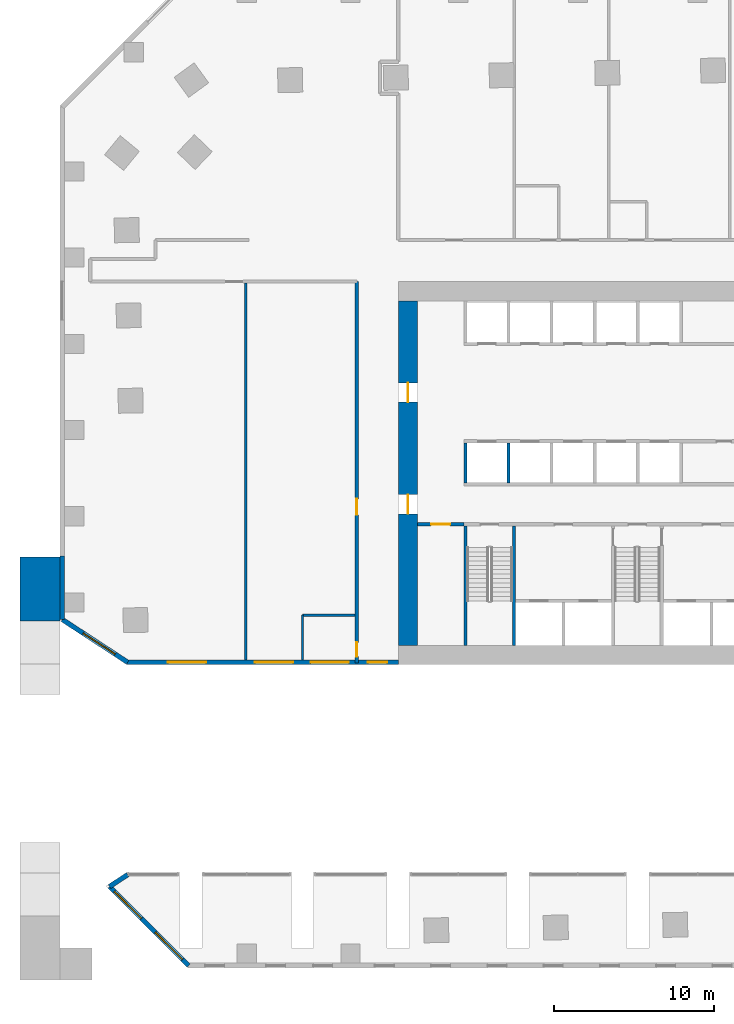
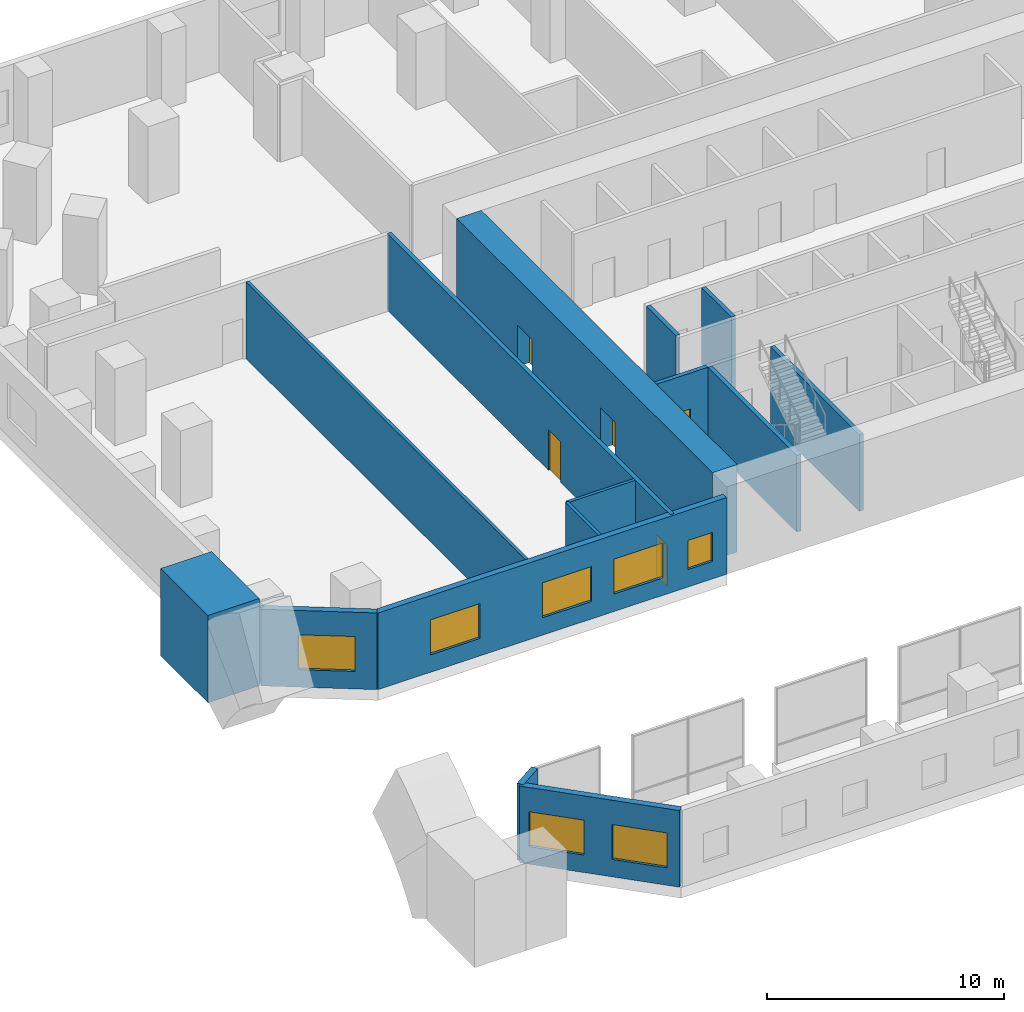
# One storey, part 5 of 12: 16 walls, 7 windows, 5 doors, 12 openings.
"""IFC4 building model written with IfcOpenShell, lengths in metres."""

from ifc_helpers import new_model, si_unit, direction, frame, frame_2d, origin, place, context, subcontext, project, spatial, rectangle, extrude, material, layer, layer_set, type_object, element, fill, save


model = new_model("IFC4")

# Units and contexts
model_context = context("Model", 3, precision=1e-05, world=origin(), true_north=direction((0.0, 1.0)))
body_context = subcontext(model_context, "Body", "Model", "MODEL_VIEW")
ifc_project = project(units=[si_unit("LENGTHUNIT", "METRE"), si_unit("AREAUNIT", "SQUARE_METRE"), si_unit("VOLUMEUNIT", "CUBIC_METRE"), si_unit("PLANEANGLEUNIT", "RADIAN"), si_unit("MASSUNIT", "GRAM", prefix="KILO")], contexts=[model_context])

# Site, building, storey
site_placement = place(None, origin())
site = spatial("IfcSite", under=ifc_project, at=site_placement, CompositionType="ELEMENT")
building_placement = place(site_placement, origin())
building = spatial("IfcBuilding", under=site, at=building_placement, Name="Mangrove Gate Tower", CompositionType="ELEMENT")
storey_placement = place(building_placement, frame((0.0, 0.0, 16.0)))
storey = spatial("IfcBuildingStorey", under=building, at=storey_placement, Name="L03", CompositionType="ELEMENT", Elevation=16.0)

# Wall, opening, door
ifc_material_1 = material(Name="Concrete C32/40", Category="concrete")
ifc_layer_1 = layer(ifc_material_1, 0.199951171875)
ifc_layer_set_1 = layer_set([ifc_layer_1], Name="Core lobby wall 200 C32/40")
wall_type_1 = type_object("IfcWallType", Name="Core lobby wall 200 C32/40", PredefinedType="STANDARD", material=ifc_layer_set_1)
wall_1_placement = place(storey_placement, frame((-13.800048828125, -3.199951171875, 0.0), z_axis=(0.0, 0.0, 1.0), x_axis=(1.0, 0.0, 0.0)))
wall_1 = element("IfcWall", 1, at=wall_1_placement, inside=storey, type_object=wall_type_1, Name="WALL-L03-CORE-34", PredefinedType="STANDARD", context=body_context, shape_type="SweptSolid", body=[
    extrude(rectangle(XDim=2.900146484375, YDim=0.199951171875, at=frame_2d((1.4501953125, 0.0))), origin(), (0.0, 0.0, 1.0), 3.949951171875),
])
opening_1_placement = place(wall_1_placement, frame((0.85009765625, 0.0, 0.0)))
opening_1 = element("IfcOpeningElement", 2, at=opening_1_placement, cuts=wall_1, Name="Opening FL12", PredefinedType="OPENING", context=body_context, shape_type="SweptSolid", body=[
    extrude(rectangle(XDim=1.199951171875, YDim=2.10009765625, at=frame_2d((0.60009765625, 1.050048828125))), frame((0.0, 0.10986328125, 0.0), z_axis=(0.0, -1.0, 0.0), x_axis=(1.0, 0.0, 0.0)), (0.0, 0.0, 1.0), 0.219970703125),
])
ifc_material_2 = material(Name="Fire-rated steel door set", Category="steel")
door_type_1 = type_object("IfcDoorType", Name="Lobby door FD60 1200x2100", OperationType="SINGLE_SWING_LEFT", PredefinedType="DOOR", material=ifc_material_2)
door_1_placement = place(opening_1_placement, origin())
door_1 = element("IfcDoor", 3, at=door_1_placement, inside=storey, type_object=door_type_1, Name="Lobby door core corridor W partition", OperationType="SINGLE_SWING_LEFT", OverallHeight=2.10009765625, OverallWidth=1.199951171875, PredefinedType="DOOR", context=body_context, shape_type="SweptSolid", body=[
    extrude(rectangle(XDim=1.199951171875, YDim=2.10009765625, at=frame_2d((0.60009765625, 1.050048828125))), frame((0.0, 0.02490234375, 0.0), z_axis=(0.0, -1.0, 0.0), x_axis=(1.0, 0.0, 0.0)), (0.0, 0.0, 1.0), 0.050048828125),
])
fill(opening_1, door_1)

# Walls
ifc_material_3 = material(Name="Concrete C70/85", Category="concrete")
ifc_layer_2 = layer(ifc_material_3, 0.199951171875)
ifc_layer_set_2 = layer_set([ifc_layer_2], Name="Core shaft wall 200 C70/85")
wall_type_2 = type_object("IfcWallType", Name="Core shaft wall 200 C70/85", PredefinedType="SHEAR", material=ifc_layer_set_2)
for number, where, z_axis, x_axis, name in (
    (4, (-10.800048828125, -0.60009765625, 0.0), (0.0, 0.0, 1.0), (0.0, 1.0, 0.0), "WALL-L03-CORE-19"),
    (5, (-8.10009765625, -0.60009765625, 0.0), (0.0, 0.0, 1.0), (0.0, 1.0, 0.0), "WALL-L03-CORE-20"),
):
    element("IfcWall", number, at=place(storey_placement, frame(where, z_axis=z_axis, x_axis=x_axis)), inside=storey, type_object=wall_type_2, Name=name, PredefinedType="SHEAR", context=body_context, shape_type="SweptSolid", body=[
        extrude(rectangle(XDim=2.5, YDim=0.199951171875, at=frame_2d((1.25, 0.0))), origin(), (0.0, 0.0, 1.0), 3.949951171875),
    ])
ifc_material_4 = material(Name="Concrete C70/85", Category="concrete")
ifc_layer_3 = layer(ifc_material_4, 0.199951171875)
ifc_layer_set_3 = layer_set([ifc_layer_3], Name="Core stair wall 200 C70/85")
wall_type_3 = type_object("IfcWallType", Name="Core stair wall 200 C70/85", PredefinedType="SHEAR", material=ifc_layer_set_3)
for number, where, z_axis, x_axis, name in (
    (6, (-10.800048828125, -10.800048828125, 0.0), (0.0, 0.0, 1.0), (0.0, 1.0, 0.0), "WALL-L03-CORE-9"),
    (7, (-7.75, -10.800048828125, 0.0), (0.0, 0.0, 1.0), (0.0, 1.0, 0.0), "WALL-L03-CORE-10"),
):
    element("IfcWall", number, at=place(storey_placement, frame(where, z_axis=z_axis, x_axis=x_axis)), inside=storey, type_object=wall_type_3, Name=name, PredefinedType="SHEAR", context=body_context, shape_type="SweptSolid", body=[
        extrude(rectangle(XDim=7.5, YDim=0.199951171875, at=frame_2d((3.75, 0.0))), origin(), (0.0, 0.0, 1.0), 3.949951171875),
    ])

# Wall, openings, doors
ifc_material_5 = material(Name="Concrete C70/85", Category="concrete")
ifc_layer_4 = layer(ifc_material_5, 1.199951171875)
ifc_layer_set_4 = layer_set([ifc_layer_4], Name="Core wall 1200 C70/85")
wall_type_4 = type_object("IfcWallType", Name="Core wall 1200 C70/85", PredefinedType="SHEAR", material=ifc_layer_set_4)
wall_2_placement = place(storey_placement, frame((-14.39990234375, -10.800048828125, 0.0), z_axis=(0.0, 0.0, 1.0), x_axis=(0.0, 1.0, 0.0)))
wall_2 = element("IfcWall", 8, at=wall_2_placement, inside=storey, type_object=wall_type_4, Name="WALL-L03-CORE-3", PredefinedType="SHEAR", context=body_context, shape_type="SweptSolid", body=[
    extrude(rectangle(XDim=21.60009765625, YDim=1.199951171875, at=frame_2d((10.800048828125, 0.0))), origin(), (0.0, 0.0, 1.0), 4.5),
])
opening_2_placement = place(wall_2_placement, frame((8.25, 0.0, 0.0)))
opening_2 = element("IfcOpeningElement", 9, at=opening_2_placement, cuts=wall_2, Name="Opening CD", PredefinedType="OPENING", context=body_context, shape_type="SweptSolid", body=[
    extrude(rectangle(XDim=1.199951171875, YDim=2.10009765625, at=frame_2d((0.60009765625, 1.050048828125))), frame((0.0, 0.60986328125, 0.0), z_axis=(0.0, -1.0, 0.0), x_axis=(1.0, 0.0, 0.0)), (0.0, 0.0, 1.0), 1.219970703125),
])
opening_3_placement = place(wall_2_placement, frame((15.25, 0.0, 0.0)))
opening_3 = element("IfcOpeningElement", 10, at=opening_3_placement, cuts=wall_2, Name="Opening CD", PredefinedType="OPENING", context=body_context, shape_type="SweptSolid", body=[
    extrude(rectangle(XDim=1.199951171875, YDim=2.10009765625, at=frame_2d((0.60009765625, 1.050048828125))), frame((0.0, 0.60986328125, 0.0), z_axis=(0.0, -1.0, 0.0), x_axis=(1.0, 0.0, 0.0)), (0.0, 0.0, 1.0), 1.219970703125),
])
ifc_material_6 = material(Name="Fire-rated steel door set", Category="steel")
door_type_2 = type_object("IfcDoorType", Name="Core ring door FD60 1200x2100", OperationType="DOUBLE_DOOR_SINGLE_SWING", PredefinedType="DOOR", material=ifc_material_6)
door_2_placement = place(opening_2_placement, origin())
door_2 = element("IfcDoor", 11, at=door_2_placement, inside=storey, type_object=door_type_2, Name="Core ring door W1", OperationType="DOUBLE_DOOR_SINGLE_SWING", OverallHeight=2.10009765625, OverallWidth=1.199951171875, PredefinedType="DOOR", context=body_context, shape_type="SweptSolid", body=[
    extrude(rectangle(XDim=1.199951171875, YDim=2.10009765625, at=frame_2d((0.60009765625, 1.050048828125))), frame((0.0, 0.02490234375, 0.0), z_axis=(0.0, -1.0, 0.0), x_axis=(1.0, 0.0, 0.0)), (0.0, 0.0, 1.0), 0.050048828125),
])
fill(opening_2, door_2)
door_3_placement = place(opening_3_placement, origin())
door_3 = element("IfcDoor", 12, at=door_3_placement, inside=storey, type_object=door_type_2, Name="Core ring door W2", OperationType="DOUBLE_DOOR_SINGLE_SWING", OverallHeight=2.10009765625, OverallWidth=1.199951171875, PredefinedType="DOOR", context=body_context, shape_type="SweptSolid", body=[
    extrude(rectangle(XDim=1.199951171875, YDim=2.10009765625, at=frame_2d((0.60009765625, 1.050048828125))), frame((0.0, 0.02490234375, 0.0), z_axis=(0.0, -1.0, 0.0), x_axis=(1.0, 0.0, 0.0)), (0.0, 0.0, 1.0), 0.050048828125),
])
fill(opening_3, door_3)

ifc_material_7 = material(Name="Gypsum board on steel stud, EI 60", Category="steel")
ifc_layer_5 = layer(ifc_material_7, 0.199951171875)
ifc_layer_set_5 = layer_set([ifc_layer_5], Name="Corridor wall EI 60")
wall_type_5 = type_object("IfcWallType", Name="Corridor wall EI 60", PredefinedType="PARTITIONING", material=ifc_layer_set_5)
wall_3_placement = place(storey_placement, frame((-17.60009765625, -11.89990234375, 0.0), z_axis=(0.0, 0.0, 1.0), x_axis=(0.0, 1.0, 0.0)))
wall_3 = element("IfcWall", 13, at=wall_3_placement, inside=storey, type_object=wall_type_5, Name="WALL-L03-003", PredefinedType="PARTITIONING", context=body_context, shape_type="SweptSolid", body=[
    extrude(rectangle(XDim=23.89990234375, YDim=0.199951171875, at=frame_2d((11.949951171875, 0.0))), origin(), (0.0, 0.0, 1.0), 3.949951171875),
])
opening_4_placement = place(wall_3_placement, frame((9.281982421875, 0.0, 0.0)))
opening_4 = element("IfcOpeningElement", 14, at=opening_4_placement, cuts=wall_3, Name="Opening AD", PredefinedType="OPENING", context=body_context, shape_type="SweptSolid", body=[
    extrude(rectangle(XDim=1.0, YDim=2.10009765625, at=frame_2d((0.5, 1.050048828125))), frame((0.0, 0.10986328125, 0.0), z_axis=(0.0, -1.0, 0.0), x_axis=(1.0, 0.0, 0.0)), (0.0, 0.0, 1.0), 0.219970703125),
])
opening_5_placement = place(wall_3_placement, frame((0.39990234375, 0.0, 0.0)))
opening_5 = element("IfcOpeningElement", 15, at=opening_5_placement, cuts=wall_3, Name="Opening SD", PredefinedType="OPENING", context=body_context, shape_type="SweptSolid", body=[
    extrude(rectangle(XDim=0.89990234375, YDim=2.10009765625, at=frame_2d((0.449951171875, 1.050048828125))), frame((0.0, 0.10986328125, 0.0), z_axis=(0.0, -1.0, 0.0), x_axis=(1.0, 0.0, 0.0)), (0.0, 0.0, 1.0), 0.219970703125),
])
ifc_material_8 = material(Name="Timber door leaf", Category="wood")
door_type_3 = type_object("IfcDoorType", Name="Amenity door 1000", OperationType="SINGLE_SWING_LEFT", PredefinedType="DOOR", material=ifc_material_8)
door_4_placement = place(opening_4_placement, origin())
door_4 = element("IfcDoor", 16, at=door_4_placement, inside=storey, type_object=door_type_3, Name="DOOR-L03-POD-01", OperationType="SINGLE_SWING_LEFT", OverallHeight=2.10009765625, OverallWidth=1.0, PredefinedType="DOOR", context=body_context, shape_type="SweptSolid", body=[
    extrude(rectangle(XDim=1.0, YDim=2.10009765625, at=frame_2d((0.5, 1.050048828125))), frame((0.0, 0.02490234375, 0.0), z_axis=(0.0, -1.0, 0.0), x_axis=(1.0, 0.0, 0.0)), (0.0, 0.0, 1.0), 0.050048828125),
])
fill(opening_4, door_4)
ifc_material_9 = material(Name="Timber door leaf", Category="wood")
door_type_4 = type_object("IfcDoorType", Name="Service room door 900", OperationType="SINGLE_SWING_LEFT", PredefinedType="DOOR", material=ifc_material_9)
door_5_placement = place(opening_5_placement, origin())
door_5 = element("IfcDoor", 17, at=door_5_placement, inside=storey, type_object=door_type_4, Name="DOOR-L03-PSV-01", OperationType="SINGLE_SWING_LEFT", OverallHeight=2.10009765625, OverallWidth=0.89990234375, PredefinedType="DOOR", context=body_context, shape_type="SweptSolid", body=[
    extrude(rectangle(XDim=0.89990234375, YDim=2.10009765625, at=frame_2d((0.449951171875, 1.050048828125))), frame((0.0, 0.02490234375, 0.0), z_axis=(0.0, -1.0, 0.0), x_axis=(1.0, 0.0, 0.0)), (0.0, 0.0, 1.0), 0.050048828125),
])
fill(opening_5, door_5)

# Wall
ifc_material_10 = material(Name="Limestone", Category="masonry")
ifc_layer_6 = layer(ifc_material_10, 0.0400390625, Name="Limestone cladding")
ifc_material_11 = material(Name="Ventilated air gap")
ifc_layer_7 = layer(ifc_material_11, 0.0400390625, Name="Ventilated cavity")
ifc_material_12 = material(Name="Mineral wool insulation")
ifc_layer_8 = layer(ifc_material_12, 0.06005859375, Name="Insulation")
ifc_material_13 = material(Name="Breather membrane")
ifc_layer_9 = layer(ifc_material_13, 0.001953125, Name="Breather membrane")
ifc_material_14 = material(Name="Concrete C20/25 blockwork", Category="masonry")
ifc_layer_10 = layer(ifc_material_14, 0.14990234375, Name="Blockwork backing wall")
ifc_material_15 = material(Name="Gypsum plaster")
ifc_layer_11 = layer(ifc_material_15, 0.008056640625, Name="Internal plaster")
ifc_layer_set_6 = layer_set([ifc_layer_6, ifc_layer_7, ifc_layer_8, ifc_layer_9, ifc_layer_10, ifc_layer_11], Name="External wall 300 limestone cladding")
wall_type_6 = type_object("IfcWallType", Name="External wall 300 limestone cladding", PredefinedType="SOLIDWALL", material=ifc_layer_set_6)
wall_4_placement = place(storey_placement, frame((-31.955078125, -25.14990234375, 0.0), z_axis=(0.0, 0.0, 1.0), x_axis=(-0.83660579794, -0.547805384105, 0.0)))
element("IfcWall", 18, at=wall_4_placement, inside=storey, type_object=wall_type_6, Name="WALL-L03-N2", PredefinedType="SOLIDWALL", context=body_context, shape_type="SweptSolid", body=[
    extrude(rectangle(XDim=1.360107421875, YDim=0.300048828125, at=frame_2d((0.68017578125, 0.0))), origin(), (0.0, 0.0, 1.0), 3.949951171875),
])

# Wall, openings, windows
wall_5_placement = place(storey_placement, frame((-33.093017578125, -25.89501953125, 0.0), z_axis=(0.0, 0.0, 1.0), x_axis=(0.707106781187, -0.707106781187, 0.0)))
wall_5 = element("IfcWall", 19, at=wall_5_placement, inside=storey, type_object=wall_type_6, Name="WALL-L03-W3", PredefinedType="SOLIDWALL", context=body_context, shape_type="SweptSolid", body=[
    extrude(rectangle(XDim=7.007568359375, YDim=0.300048828125, at=frame_2d((3.50390625, 0.0))), origin(), (0.0, 0.0, 1.0), 3.949951171875),
])
opening_6_placement = place(wall_5_placement, frame((0.428955078125, 0.0, 0.89990234375)))
opening_6 = element("IfcOpeningElement", 20, at=opening_6_placement, cuts=wall_5, Name="Opening W3", PredefinedType="OPENING", context=body_context, shape_type="SweptSolid", body=[
    extrude(rectangle(XDim=2.39990234375, YDim=1.800048828125, at=frame_2d((1.199951171875, 0.89990234375))), frame((0.0, 0.159912109375, 0.0), z_axis=(0.0, -1.0, 0.0), x_axis=(1.0, 0.0, 0.0)), (0.0, 0.0, 1.0), 0.320068359375),
])
opening_7_placement = place(wall_5_placement, frame((4.055908203125, 0.0, 0.89990234375)))
opening_7 = element("IfcOpeningElement", 21, at=opening_7_placement, cuts=wall_5, Name="Opening W3", PredefinedType="OPENING", context=body_context, shape_type="SweptSolid", body=[
    extrude(rectangle(XDim=2.39990234375, YDim=1.800048828125, at=frame_2d((1.199951171875, 0.89990234375))), frame((0.0, 0.159912109375, 0.0), z_axis=(0.0, -1.0, 0.0), x_axis=(1.0, 0.0, 0.0)), (0.0, 0.0, 1.0), 0.320068359375),
])
ifc_material_16 = material(Name="Aluminium frame with double-glazed low-e glass", Category="aluminium")
window_type_1 = type_object("IfcWindowType", Name="Podium window 2400x1800", PartitioningType="DOUBLE_PANEL_VERTICAL", PredefinedType="WINDOW", material=ifc_material_16)
window_1_placement = place(opening_6_placement, origin())
window_1 = element("IfcWindow", 22, at=window_1_placement, inside=storey, type_object=window_type_1, Name="WIN-L03-W3-1", OverallHeight=1.800048828125, OverallWidth=2.39990234375, PartitioningType="DOUBLE_PANEL_VERTICAL", PredefinedType="WINDOW", context=body_context, shape_type="SweptSolid", body=[
    extrude(rectangle(XDim=2.39990234375, YDim=1.800048828125, at=frame_2d((1.199951171875, 0.89990234375))), frame((0.0, 0.030029296875, 0.0), z_axis=(0.0, -1.0, 0.0), x_axis=(1.0, 0.0, 0.0)), (0.0, 0.0, 1.0), 0.06005859375),
])
fill(opening_6, window_1)
window_2_placement = place(opening_7_placement, origin())
window_2 = element("IfcWindow", 23, at=window_2_placement, inside=storey, type_object=window_type_1, Name="WIN-L03-W3-2", OverallHeight=1.800048828125, OverallWidth=2.39990234375, PartitioningType="DOUBLE_PANEL_VERTICAL", PredefinedType="WINDOW", context=body_context, shape_type="SweptSolid", body=[
    extrude(rectangle(XDim=2.39990234375, YDim=1.800048828125, at=frame_2d((1.199951171875, 0.89990234375))), frame((0.0, 0.030029296875, 0.0), z_axis=(0.0, -1.0, 0.0), x_axis=(1.0, 0.0, 0.0)), (0.0, 0.0, 1.0), 0.06005859375),
])
fill(opening_7, window_2)

# Wall, opening, window
wall_6_placement = place(storey_placement, frame((-36.050048828125, -9.1689453125, 0.0), z_axis=(0.0, 0.0, 1.0), x_axis=(0.836625876117, -0.54777471958, 0.0)))
wall_6 = element("IfcWall", 24, at=wall_6_placement, inside=storey, type_object=wall_type_6, Name="WALL-L03-S6", PredefinedType="SOLIDWALL", context=body_context, shape_type="SweptSolid", body=[
    extrude(rectangle(XDim=4.89453125, YDim=0.300048828125, at=frame_2d((2.447265625, 0.0))), origin(), (0.0, 0.0, 1.0), 3.949951171875),
])
opening_8_placement = place(wall_6_placement, frame((1.56103515625, 0.0, 0.89990234375)))
opening_8 = element("IfcOpeningElement", 25, at=opening_8_placement, cuts=wall_6, Name="Opening W3", PredefinedType="OPENING", context=body_context, shape_type="SweptSolid", body=[
    extrude(rectangle(XDim=2.39990234375, YDim=1.800048828125, at=frame_2d((1.199951171875, 0.89990234375))), frame((0.0, 0.159912109375, 0.0), z_axis=(0.0, -1.0, 0.0), x_axis=(1.0, 0.0, 0.0)), (0.0, 0.0, 1.0), 0.320068359375),
])
window_3_placement = place(opening_8_placement, origin())
window_3 = element("IfcWindow", 26, at=window_3_placement, inside=storey, type_object=window_type_1, Name="WIN-L03-S6-1", OverallHeight=1.800048828125, OverallWidth=2.39990234375, PartitioningType="DOUBLE_PANEL_VERTICAL", PredefinedType="WINDOW", context=body_context, shape_type="SweptSolid", body=[
    extrude(rectangle(XDim=2.39990234375, YDim=1.800048828125, at=frame_2d((1.199951171875, 0.89990234375))), frame((0.0, 0.030029296875, 0.0), z_axis=(0.0, -1.0, 0.0), x_axis=(1.0, 0.0, 0.0)), (0.0, 0.0, 1.0), 0.06005859375),
])
fill(opening_8, window_3)

# Wall, openings, windows
wall_7_placement = place(storey_placement, frame((-32.0, -11.85009765625, 0.0), z_axis=(0.0, 0.0, 1.0), x_axis=(1.0, 0.0, 0.0)))
wall_7 = element("IfcWall", 27, at=wall_7_placement, inside=storey, type_object=wall_type_6, Name="WALL-L03-S7", PredefinedType="SOLIDWALL", context=body_context, shape_type="SweptSolid", body=[
    extrude(rectangle(XDim=17.0, YDim=0.300048828125, at=frame_2d((8.5, 0.0))), origin(), (0.0, 0.0, 1.0), 3.949951171875),
])
opening_9_placement = place(wall_7_placement, frame((2.55908203125, 0.0, 0.89990234375)))
opening_9 = element("IfcOpeningElement", 28, at=opening_9_placement, cuts=wall_7, Name="Opening W3", PredefinedType="OPENING", context=body_context, shape_type="SweptSolid", body=[
    extrude(rectangle(XDim=2.39990234375, YDim=1.800048828125, at=frame_2d((1.199951171875, 0.89990234375))), frame((0.0, 0.159912109375, 0.0), z_axis=(0.0, -1.0, 0.0), x_axis=(1.0, 0.0, 0.0)), (0.0, 0.0, 1.0), 0.320068359375),
])
opening_10_placement = place(wall_7_placement, frame((8.014892578125, 0.0, 0.89990234375)))
opening_10 = element("IfcOpeningElement", 29, at=opening_10_placement, cuts=wall_7, Name="Opening W3", PredefinedType="OPENING", context=body_context, shape_type="SweptSolid", body=[
    extrude(rectangle(XDim=2.39990234375, YDim=1.800048828125, at=frame_2d((1.199951171875, 0.89990234375))), frame((0.0, 0.159912109375, 0.0), z_axis=(0.0, -1.0, 0.0), x_axis=(1.0, 0.0, 0.0)), (0.0, 0.0, 1.0), 0.320068359375),
])
opening_11_placement = place(wall_7_placement, frame((11.5, 0.0, 0.89990234375)))
opening_11 = element("IfcOpeningElement", 30, at=opening_11_placement, cuts=wall_7, Name="Opening W3", PredefinedType="OPENING", context=body_context, shape_type="SweptSolid", body=[
    extrude(rectangle(XDim=2.39990234375, YDim=1.800048828125, at=frame_2d((1.199951171875, 0.89990234375))), frame((0.0, 0.159912109375, 0.0), z_axis=(0.0, -1.0, 0.0), x_axis=(1.0, 0.0, 0.0)), (0.0, 0.0, 1.0), 0.320068359375),
])
opening_12_placement = place(wall_7_placement, frame((15.10009765625, 0.0, 0.89990234375)))
opening_12 = element("IfcOpeningElement", 31, at=opening_12_placement, cuts=wall_7, Name="Opening W1", PredefinedType="OPENING", context=body_context, shape_type="SweptSolid", body=[
    extrude(rectangle(XDim=1.199951171875, YDim=1.5, at=frame_2d((0.60009765625, 0.75))), frame((0.0, 0.159912109375, 0.0), z_axis=(0.0, -1.0, 0.0), x_axis=(1.0, 0.0, 0.0)), (0.0, 0.0, 1.0), 0.320068359375),
])
window_4_placement = place(opening_9_placement, origin())
window_4 = element("IfcWindow", 32, at=window_4_placement, inside=storey, type_object=window_type_1, Name="WIN-L03-S7-1", OverallHeight=1.800048828125, OverallWidth=2.39990234375, PartitioningType="DOUBLE_PANEL_VERTICAL", PredefinedType="WINDOW", context=body_context, shape_type="SweptSolid", body=[
    extrude(rectangle(XDim=2.39990234375, YDim=1.800048828125, at=frame_2d((1.199951171875, 0.89990234375))), frame((0.0, 0.030029296875, 0.0), z_axis=(0.0, -1.0, 0.0), x_axis=(1.0, 0.0, 0.0)), (0.0, 0.0, 1.0), 0.06005859375),
])
fill(opening_9, window_4)
window_5_placement = place(opening_10_placement, origin())
window_5 = element("IfcWindow", 33, at=window_5_placement, inside=storey, type_object=window_type_1, Name="WIN-L03-S7-2", OverallHeight=1.800048828125, OverallWidth=2.39990234375, PartitioningType="DOUBLE_PANEL_VERTICAL", PredefinedType="WINDOW", context=body_context, shape_type="SweptSolid", body=[
    extrude(rectangle(XDim=2.39990234375, YDim=1.800048828125, at=frame_2d((1.199951171875, 0.89990234375))), frame((0.0, 0.030029296875, 0.0), z_axis=(0.0, -1.0, 0.0), x_axis=(1.0, 0.0, 0.0)), (0.0, 0.0, 1.0), 0.06005859375),
])
fill(opening_10, window_5)
window_6_placement = place(opening_11_placement, origin())
window_6 = element("IfcWindow", 34, at=window_6_placement, inside=storey, type_object=window_type_1, Name="WIN-L03-S7-3", OverallHeight=1.800048828125, OverallWidth=2.39990234375, PartitioningType="DOUBLE_PANEL_VERTICAL", PredefinedType="WINDOW", context=body_context, shape_type="SweptSolid", body=[
    extrude(rectangle(XDim=2.39990234375, YDim=1.800048828125, at=frame_2d((1.199951171875, 0.89990234375))), frame((0.0, 0.030029296875, 0.0), z_axis=(0.0, -1.0, 0.0), x_axis=(1.0, 0.0, 0.0)), (0.0, 0.0, 1.0), 0.06005859375),
])
fill(opening_11, window_6)
ifc_material_17 = material(Name="Aluminium frame with double-glazed low-e glass", Category="aluminium")
window_type_2 = type_object("IfcWindowType", Name="Side lite 1200x1500", PartitioningType="SINGLE_PANEL", PredefinedType="WINDOW", material=ifc_material_17)
window_7_placement = place(opening_12_placement, origin())
window_7 = element("IfcWindow", 35, at=window_7_placement, inside=storey, type_object=window_type_2, Name="WIN-L03-S7-4", OverallHeight=1.5, OverallWidth=1.199951171875, PartitioningType="SINGLE_PANEL", PredefinedType="WINDOW", context=body_context, shape_type="SweptSolid", body=[
    extrude(rectangle(XDim=1.199951171875, YDim=1.5, at=frame_2d((0.60009765625, 0.75))), frame((0.0, 0.030029296875, 0.0), z_axis=(0.0, -1.0, 0.0), x_axis=(1.0, 0.0, 0.0)), (0.0, 0.0, 1.0), 0.06005859375),
])
fill(opening_12, window_7)

# Walls
wall_8_placement = place(storey_placement, frame((-36.050048828125, -5.18701171875, 0.0), z_axis=(0.0, 0.0, 1.0), x_axis=(0.0, -1.0, 0.0)))
element("IfcWall", 36, at=wall_8_placement, inside=storey, type_object=wall_type_6, Name="WALL-L03-W3140", PredefinedType="SOLIDWALL", context=body_context, shape_type="SweptSolid", body=[
    extrude(rectangle(XDim=3.98193359375, YDim=0.300048828125, at=frame_2d((1.990966796875, 0.0))), origin(), (0.0, 0.0, 1.0), 3.949951171875),
])
ifc_material_18 = material(Name="Gypsum board on steel stud, EI 60", Category="steel")
ifc_layer_12 = layer(ifc_material_18, 0.14990234375)
ifc_layer_set_7 = layer_set([ifc_layer_12], Name="Party wall 150 EI 60")
wall_type_7 = type_object("IfcWallType", Name="Party wall 150 EI 60", PredefinedType="PARTITIONING", material=ifc_layer_set_7)
wall_9_placement = place(storey_placement, frame((-24.570068359375, -11.699951171875, 0.0), z_axis=(0.0, 0.0, 1.0), x_axis=(0.0, 1.0, 0.0)))
element("IfcWall", 37, at=wall_9_placement, inside=storey, type_object=wall_type_7, Name="WALL-L03-001", PredefinedType="PARTITIONING", context=body_context, shape_type="SweptSolid", body=[
    extrude(rectangle(XDim=23.599853515625, YDim=0.14990234375, at=frame_2d((11.7998046875, 0.0))), origin(), (0.0, 0.0, 1.0), 3.949951171875),
])
wall_10_placement = place(storey_placement, frame((-21.0, -11.699951171875, 0.0), z_axis=(0.0, 0.0, 1.0), x_axis=(0.0, 1.0, 0.0)))
element("IfcWall", 38, at=wall_10_placement, inside=storey, type_object=wall_type_7, Name="WALL-L03-002", PredefinedType="PARTITIONING", context=body_context, shape_type="SweptSolid", body=[
    extrude(rectangle(XDim=2.800048828125, YDim=0.14990234375, at=frame_2d((1.39990234375, 0.0))), origin(), (0.0, 0.0, 1.0), 3.949951171875),
])
wall_11_placement = place(storey_placement, frame((-21.0, -8.89990234375, 0.0), z_axis=(0.0, 0.0, 1.0), x_axis=(1.0, 0.0, 0.0)))
element("IfcWall", 39, at=wall_11_placement, inside=storey, type_object=wall_type_7, Name="WALL-L03-004", PredefinedType="PARTITIONING", context=body_context, shape_type="SweptSolid", body=[
    extrude(rectangle(XDim=3.300048828125, YDim=0.14990234375, at=frame_2d((1.64990234375, 0.0))), origin(), (0.0, 0.0, 1.0), 3.949951171875),
])
ifc_layer_13 = layer(ifc_material_10, 0.06005859375, Name="Limestone cladding")
ifc_material_19 = material(Name="Concrete C40/50", Category="concrete")
ifc_layer_14 = layer(ifc_material_19, 2.340087890625, Name="Gate core wall")
ifc_layer_15 = layer(ifc_material_10, 0.10009765625, Name="Limestone reveal lining")
ifc_layer_set_8 = layer_set([ifc_layer_13, ifc_layer_14, ifc_layer_15], Name="Stone gate wall 2500")
wall_type_8 = type_object("IfcWallType", Name="Stone gate wall 2500", PredefinedType="STANDARD", material=ifc_layer_set_8)
wall_12_placement = place(storey_placement, frame((-37.449951171875, -9.25, 0.0), z_axis=(0.0, 0.0, 1.0), x_axis=(0.0, 1.0, 0.0)))
element("IfcWall", 40, at=wall_12_placement, inside=storey, type_object=wall_type_8, Name="ARCH PIER W 2", PredefinedType="STANDARD", context=body_context, shape_type="SweptSolid", body=[
    extrude(rectangle(XDim=4.0, YDim=2.5, at=frame_2d((2.0, 0.0))), origin(), (0.0, 0.0, 1.0), 4.5),
])

save(model, "model.ifc")
